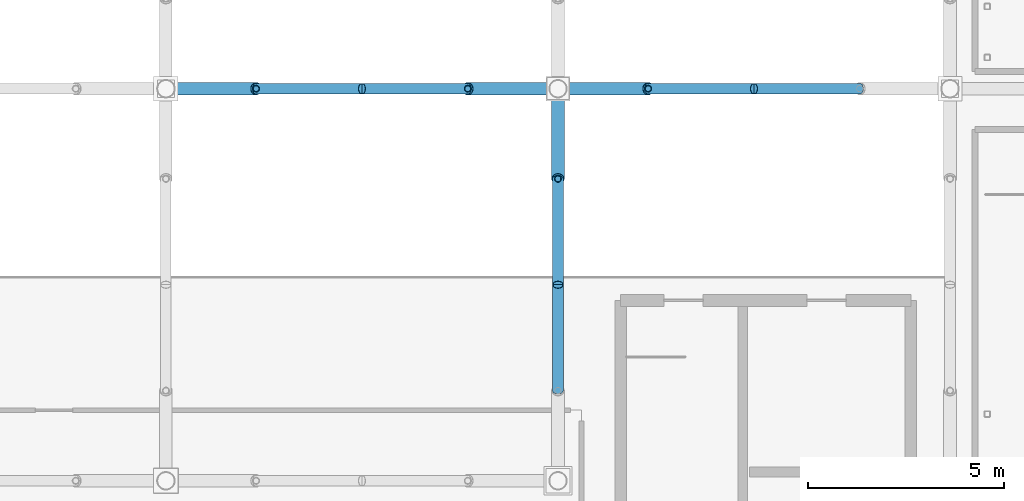
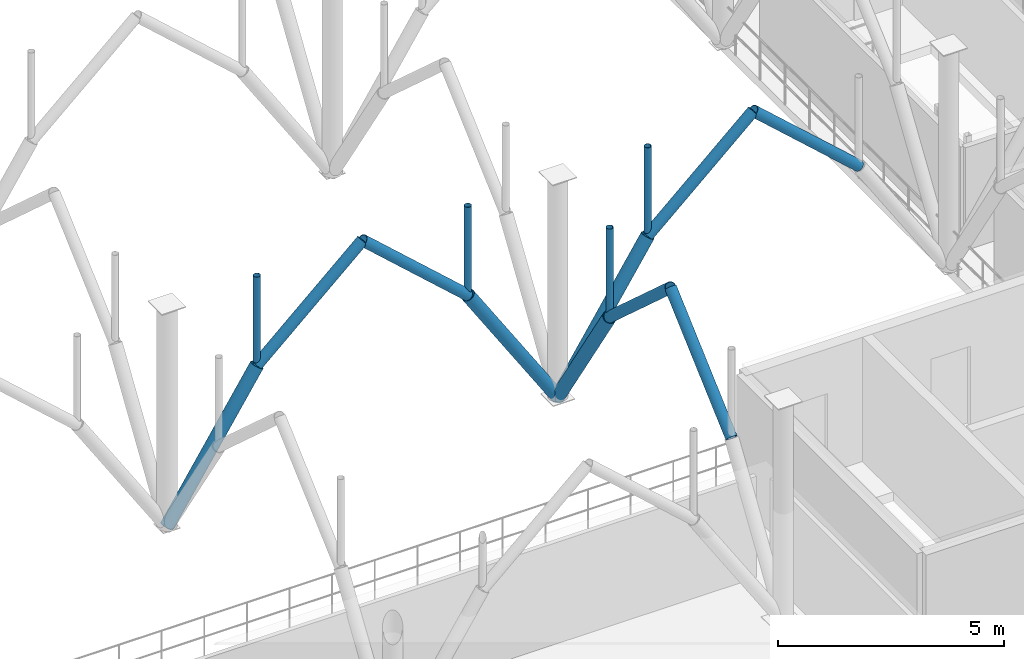
# One storey, part 66 of 109: 14 members.
"""IFC4 building model written with IfcOpenShell, lengths in metres."""

from ifc_helpers import new_model, si_unit, derived_unit, direction, frame, origin, origin_2d_with_axis, place, context, subcontext, project, spatial, hollow_circle, extrude, material, material_profile, profile_set, type_object, element, save


model = new_model("IFC4")

# Units and contexts
model_context = context("Model", 3, precision=1e-05, world=origin(), true_north=direction((0.0, 1.0)))
body_context = subcontext(model_context, "Body", "Model", "MODEL_VIEW")
ifc_project = project(units=[si_unit("LENGTHUNIT", "METRE"), si_unit("AREAUNIT", "SQUARE_METRE"), si_unit("VOLUMEUNIT", "CUBIC_METRE"), si_unit("PLANEANGLEUNIT", "RADIAN"), si_unit("MASSUNIT", "GRAM", prefix="KILO"), derived_unit("THERMALTRANSMITTANCEUNIT", [(si_unit("POWERUNIT", "WATT"), 1), (si_unit("LENGTHUNIT", "METRE"), -2), (si_unit("THERMODYNAMICTEMPERATUREUNIT", "KELVIN"), -1)])], contexts=[model_context])

# Site, building, storey
site_placement = place(None, origin())
site = spatial("IfcSite", under=ifc_project, at=site_placement, CompositionType="ELEMENT")
building_placement = place(site_placement, origin())
building = spatial("IfcBuilding", under=site, at=building_placement, Name="Cinnabar Yard Market Hall", CompositionType="ELEMENT")
storey_placement = place(building_placement, frame((0.0, 0.0, 8.39990234375)))
storey = spatial("IfcBuildingStorey", under=building, at=storey_placement, Name="L02", CompositionType="ELEMENT", Elevation=8.39990234375)

# Members
ifc_material_1 = material(Name="Spotted-gum glulam-clad steel Grade 350 (350 MPa)", Category="steel")
ifc_material_profile_1 = material_profile(ifc_material_1, hollow_circle(Radius=0.136474609375, WallThickness=0.00927734375, at=origin_2d_with_axis()), Name="273.1x9.3CHS")
ifc_profile_set_1 = profile_set([ifc_material_profile_1], Name="Spotted-gum glulam-clad steel Grade 350 (350 MPa)")
member_type_1 = type_object("IfcMemberType", Name="MB-AR01", PredefinedType="USERDEFINED", material=ifc_profile_set_1)
for number, where, z_axis, x_axis, name in (
    (1, (128.300048828125, 34.0, 3.550048828125), (0.743297488271, 0.0, 0.668961018244), (0.0, 1.0, 0.0), "Pointed Arch Rib 0085"),
    (2, (136.0, 26.300048828125, 3.550048828125), (0.0, 0.743297488271, 0.668961018244), (-1.0, 0.0, 0.0), "Pointed Arch Rib 0101"),
    (3, (138.300048828125, 34.0, 3.550048828125), (0.743297488271, 0.0, 0.668961018244), (0.0, 1.0, 0.0), "Pointed Arch Rib 0102"),
    (4, (133.699951171875, 34.0, 3.550048828125), (-0.743297488271, 0.0, 0.668961018244), (0.0, -1.0, 0.0), "Pointed Arch Rib 0103"),
    (5, (136.0, 31.699951171875, 3.550048828125), (0.0, -0.743297488271, 0.668961018244), (1.0, 0.0, 0.0), "Pointed Arch Rib 0105"),
    (6, (143.699951171875, 34.0, 3.550048828125), (-0.743297488271, 0.0, 0.668961018244), (0.0, -1.0, 0.0), "Pointed Arch Rib 0119"),
):
    element("IfcMember", number, at=place(storey_placement, frame(where, z_axis=z_axis, x_axis=x_axis)), inside=storey, type_object=member_type_1, Name=name, ObjectType="ARCH RIB", PredefinedType="USERDEFINED", context=body_context, shape_type="SweptSolid", body=[
        extrude(hollow_circle(Radius=0.136474609375, WallThickness=0.00927734375, at=origin_2d_with_axis()), origin(), (0.0, 0.0, 1.0), 3.63232421875),
    ])
ifc_material_profile_2 = material_profile(ifc_material_1, hollow_circle(Radius=0.161865234375, WallThickness=0.009521484375, at=origin_2d_with_axis()), Name="323.9x9.5CHS")
ifc_profile_set_2 = profile_set([ifc_material_profile_2], Name="Spotted-gum glulam-clad steel Grade 350 (350 MPa)")
member_type_2 = type_object("IfcMemberType", Name="MB-ST01", PredefinedType="STRUT", material=ifc_profile_set_2)
for number, where, z_axis, x_axis, name in (
    (7, (126.0, 34.0, 0.0), (0.543744165176, 0.0, 0.839251024925), (0.0, 1.0, 0.0), "Curved Branch Arm Lower 0085"),
    (8, (136.0, 34.0, 0.0), (0.543744165176, 0.0, 0.839251024925), (0.0, 1.0, 0.0), "Curved Branch Arm Lower 0102"),
    (9, (136.0, 34.0, 0.0), (-0.543744165176, 0.0, 0.839251024925), (0.0, -1.0, 0.0), "Curved Branch Arm Lower 0103"),
    (10, (136.0, 34.0, 0.0), (0.0, -0.543744165176, 0.839251024925), (1.0, 0.0, 0.0), "Curved Branch Arm Lower 0105"),
):
    element("IfcMember", number, at=place(storey_placement, frame(where, z_axis=z_axis, x_axis=x_axis)), inside=storey, type_object=member_type_2, Name=name, PredefinedType="STRUT", context=body_context, shape_type="SweptSolid", body=[
        extrude(hollow_circle(Radius=0.161865234375, WallThickness=0.009521484375, at=origin_2d_with_axis()), origin(), (0.0, 0.0, 1.0), 4.22998046875),
    ])
ifc_material_2 = material(Name="Cold-formed steel C350L0", Category="steel")
ifc_material_profile_3 = material_profile(ifc_material_2, hollow_circle(Radius=0.084228515625, WallThickness=0.00634765625, at=origin_2d_with_axis()), Name="168.3x6.4CHS")
ifc_profile_set_3 = profile_set([ifc_material_profile_3], Name="Cold-formed steel C350L0")
member_type_3 = type_object("IfcMemberType", Name="MB-WB01", PredefinedType="STRUT", material=ifc_profile_set_3)
for number, where, z_axis, x_axis, name in (
    (11, (128.300048828125, 34.0, 3.550048828125), (0.0, 0.0, 1.0), (1.0, 0.0, 0.0), "Arch Spandrel Post 0085"),
    (12, (138.300048828125, 34.0, 3.550048828125), (0.0, 0.0, 1.0), (1.0, 0.0, 0.0), "Arch Spandrel Post 0102"),
    (13, (133.699951171875, 34.0, 3.550048828125), (0.0, 0.0, 1.0), (1.0, 0.0, 0.0), "Arch Spandrel Post 0103"),
    (14, (136.0, 31.699951171875, 3.550048828125), (0.0, 0.0, 1.0), (1.0, 0.0, 0.0), "Arch Spandrel Post 0105"),
):
    element("IfcMember", number, at=place(storey_placement, frame(where, z_axis=z_axis, x_axis=x_axis)), inside=storey, type_object=member_type_3, Name=name, PredefinedType="STRUT", context=body_context, shape_type="SweptSolid", body=[
        extrude(hollow_circle(Radius=0.084228515625, WallThickness=0.00634765625, at=origin_2d_with_axis()), origin(), (0.0, 0.0, 1.0), 2.429931640625),
    ])

save(model, "model.ifc")
